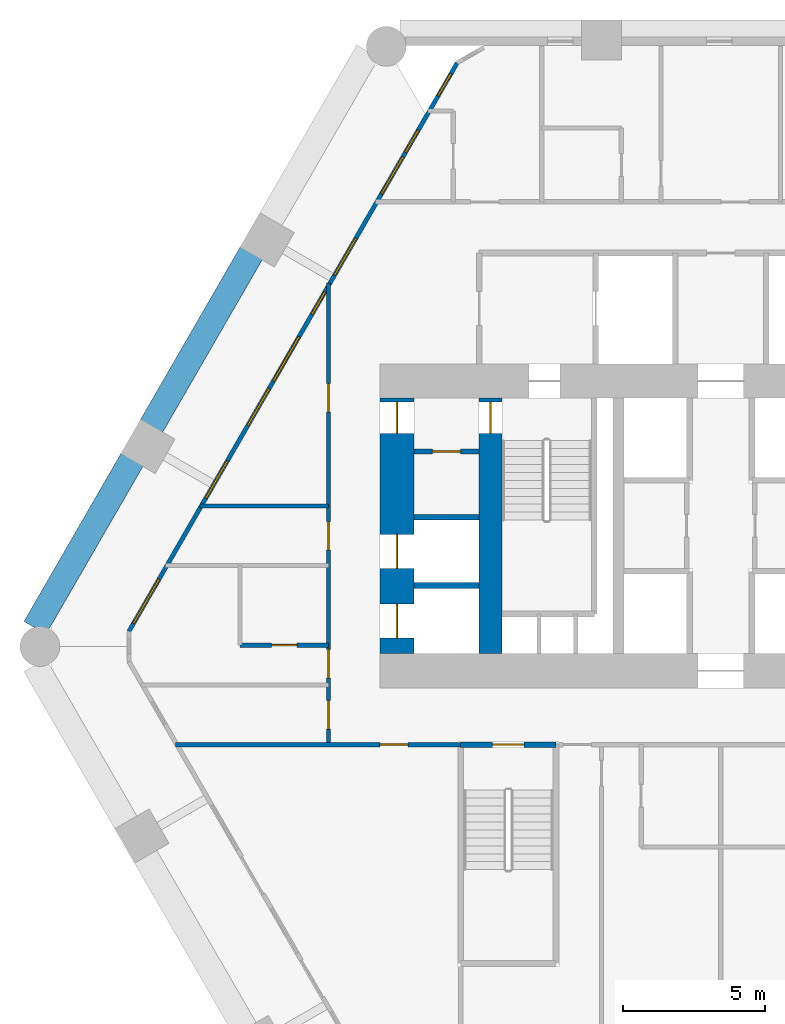
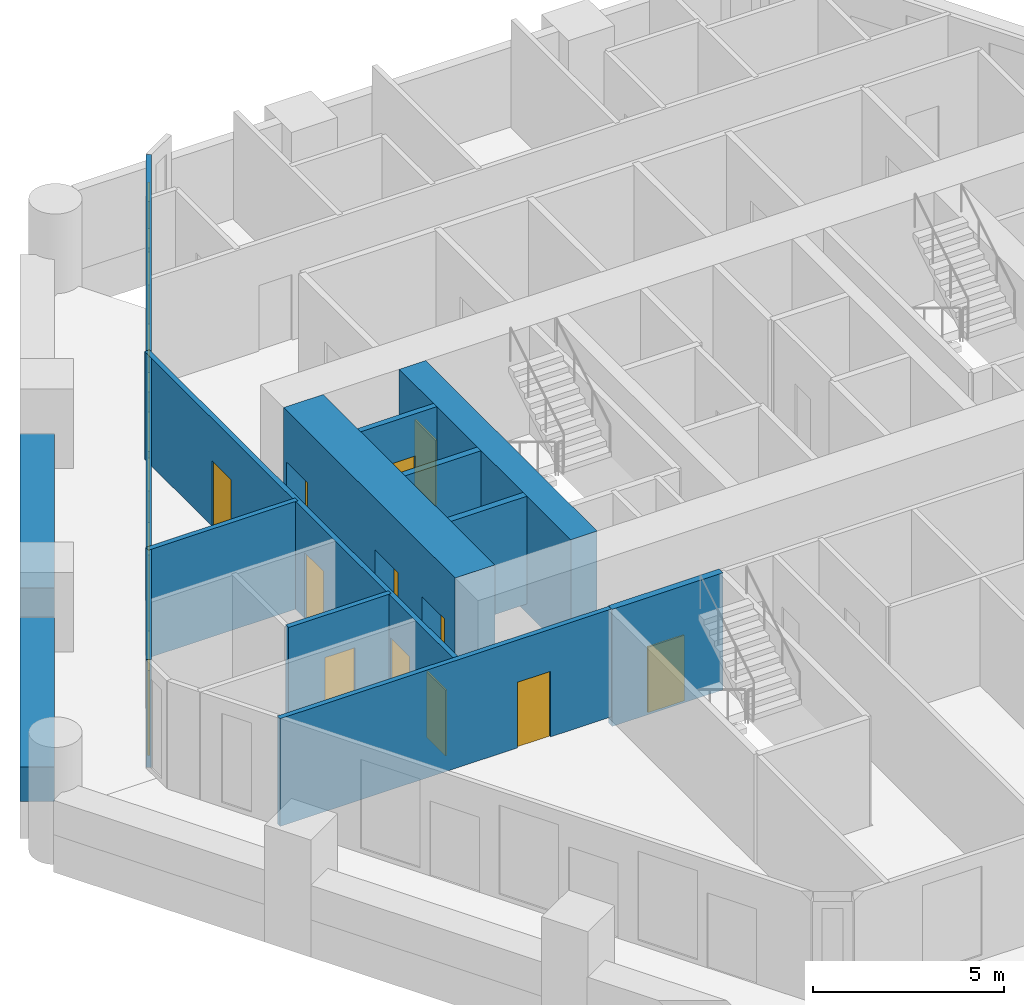
# One storey, part 3 of 8: 13 walls, 12 doors, 9 windows, 21 openings.
"""IFC4 building model written with IfcOpenShell, lengths in metres."""

from ifc_helpers import new_model, si_unit, direction, frame, frame_2d, origin, place, context, subcontext, project, spatial, rectangle, extrude, material, layer, layer_set, type_object, element, fill, save


model = new_model("IFC4")

# Units and contexts
model_context = context("Model", 3, precision=1e-05, world=origin(), true_north=direction((0.0, 1.0)))
body_context = subcontext(model_context, "Body", "Model", "MODEL_VIEW")
ifc_project = project(units=[si_unit("LENGTHUNIT", "METRE"), si_unit("AREAUNIT", "SQUARE_METRE"), si_unit("VOLUMEUNIT", "CUBIC_METRE"), si_unit("PLANEANGLEUNIT", "RADIAN"), si_unit("MASSUNIT", "GRAM", prefix="KILO")], contexts=[model_context])

# Site, building, storey
site_placement = place(None, origin())
site = spatial("IfcSite", under=ifc_project, at=site_placement, CompositionType="ELEMENT")
building_placement = place(site_placement, origin())
building = spatial("IfcBuilding", under=site, at=building_placement, Name="Ostrander Bayou Hotel Tower", CompositionType="ELEMENT")
storey_placement = place(building_placement, frame((0.0, 0.0, 43.0)))
storey = spatial("IfcBuildingStorey", under=building, at=storey_placement, Name="L10", CompositionType="ELEMENT", Elevation=43.0)

# Wall, openings, doors
ifc_material_1 = material(Name="Concrete f'c 70 MPa", Category="concrete")
ifc_layer_1 = layer(ifc_material_1, 1.199951171875)
ifc_layer_set_1 = layer_set([ifc_layer_1], Name="CW1 core wall 1200 mm f'c 70 MPa")
wall_type_1 = type_object("IfcWallType", Name="CW1 core wall 1200 mm f'c 70 MPa", PredefinedType="SHEAR", material=ifc_layer_set_1)
wall_1_placement = place(storey_placement, frame((-11.39990234375, -0.5, -0.300048828125), z_axis=(0.0, 0.0, 1.0), x_axis=(0.0, 1.0, 0.0)))
wall_1 = element("IfcWall", 1, at=wall_1_placement, inside=storey, type_object=wall_type_1, Name="CW1 L10 RW", PredefinedType="SHEAR", context=body_context, shape_type="SweptSolid", body=[
    extrude(rectangle(XDim=9.0, YDim=1.199951171875, at=frame_2d((4.5, 0.0))), origin(), (0.0, 0.0, 1.0), 3.75),
])
opening_1_placement = place(wall_1_placement, frame((7.75, 0.0, 0.0)))
opening_1 = element("IfcOpeningElement", 2, at=opening_1_placement, cuts=wall_1, Name="Opening T09-017", PredefinedType="OPENING", context=body_context, shape_type="SweptSolid", body=[
    extrude(rectangle(XDim=1.10009765625, YDim=2.10009765625, at=frame_2d((0.550048828125, 1.050048828125))), frame((0.0, 0.60009765625, 0.0), z_axis=(0.0, -1.0, 0.0), x_axis=(1.0, 0.0, 0.0)), (0.0, 0.0, 1.0), 1.199951171875),
])
opening_2_placement = place(wall_1_placement, frame((0.550048828125, 0.0, 0.0)))
opening_2 = element("IfcOpeningElement", 3, at=opening_2_placement, cuts=wall_1, Name="Opening T09-018", PredefinedType="OPENING", context=body_context, shape_type="SweptSolid", body=[
    extrude(rectangle(XDim=1.199951171875, YDim=2.10009765625, at=frame_2d((0.60009765625, 1.050048828125))), frame((0.0, 0.60009765625, 0.0), z_axis=(0.0, -1.0, 0.0), x_axis=(1.0, 0.0, 0.0)), (0.0, 0.0, 1.0), 1.199951171875),
])
opening_3_placement = place(wall_1_placement, frame((3.0, 0.0, 0.0)))
opening_3 = element("IfcOpeningElement", 4, at=opening_3_placement, cuts=wall_1, Name="Opening T09-019", PredefinedType="OPENING", context=body_context, shape_type="SweptSolid", body=[
    extrude(rectangle(XDim=1.199951171875, YDim=2.10009765625, at=frame_2d((0.60009765625, 1.050048828125))), frame((0.0, 0.60009765625, 0.0), z_axis=(0.0, -1.0, 0.0), x_axis=(1.0, 0.0, 0.0)), (0.0, 0.0, 1.0), 1.199951171875),
])
ifc_material_2 = material(Name="Timber door leaf", Category="wood")
door_type_1 = type_object("IfcDoorType", Name="D5 stair door 1100 x 2100 mm, 90 minute", OperationType="SINGLE_SWING_LEFT", PredefinedType="DOOR", material=ifc_material_2)
door_1_placement = place(opening_1_placement, origin())
door_1 = element("IfcDoor", 5, at=door_1_placement, inside=storey, type_object=door_type_1, Name="dr:L10:017", OperationType="SINGLE_SWING_LEFT", OverallHeight=2.10009765625, OverallWidth=1.10009765625, PredefinedType="DOOR", context=body_context, shape_type="SweptSolid", body=[
    extrude(rectangle(XDim=1.10009765625, YDim=2.10009765625, at=frame_2d((0.550048828125, 1.050048828125))), frame((0.0, 0.02490234375, 0.0), z_axis=(0.0, -1.0, 0.0), x_axis=(1.0, 0.0, 0.0)), (0.0, 0.0, 1.0), 0.050048828125),
])
fill(opening_1, door_1)
ifc_material_3 = material(Name="Stainless steel sliding door", Category="steel")
door_type_2 = type_object("IfcDoorType", Name="LD1 lift landing door 1200 x 2100 mm", OperationType="SINGLE_SWING_LEFT", PredefinedType="DOOR", material=ifc_material_3)
door_2_placement = place(opening_2_placement, origin())
door_2 = element("IfcDoor", 6, at=door_2_placement, inside=storey, type_object=door_type_2, Name="dr:L10:018", OperationType="SLIDING_TO_LEFT", OverallHeight=2.10009765625, OverallWidth=1.199951171875, PredefinedType="DOOR", context=body_context, shape_type="SweptSolid", body=[
    extrude(rectangle(XDim=1.199951171875, YDim=2.10009765625, at=frame_2d((0.60009765625, 1.050048828125))), frame((0.0, 0.02490234375, 0.0), z_axis=(0.0, -1.0, 0.0), x_axis=(1.0, 0.0, 0.0)), (0.0, 0.0, 1.0), 0.050048828125),
])
fill(opening_2, door_2)
door_3_placement = place(opening_3_placement, origin())
door_3 = element("IfcDoor", 7, at=door_3_placement, inside=storey, type_object=door_type_2, Name="dr:L10:019", OperationType="SLIDING_TO_LEFT", OverallHeight=2.10009765625, OverallWidth=1.199951171875, PredefinedType="DOOR", context=body_context, shape_type="SweptSolid", body=[
    extrude(rectangle(XDim=1.199951171875, YDim=2.10009765625, at=frame_2d((0.60009765625, 1.050048828125))), frame((0.0, 0.02490234375, 0.0), z_axis=(0.0, -1.0, 0.0), x_axis=(1.0, 0.0, 0.0)), (0.0, 0.0, 1.0), 0.050048828125),
])
fill(opening_3, door_3)

# Wall, opening, door
ifc_material_4 = material(Name="Concrete f'c 70 MPa", Category="concrete")
ifc_layer_2 = layer(ifc_material_4, 0.800048828125)
ifc_layer_set_2 = layer_set([ifc_layer_2], Name="CW2 core spine wall 800 mm f'c 70 MPa")
wall_type_2 = type_object("IfcWallType", Name="CW2 core spine wall 800 mm f'c 70 MPa", PredefinedType="SHEAR", material=ifc_layer_set_2)
wall_2_placement = place(storey_placement, frame((-8.10009765625, -0.5, -0.300048828125), z_axis=(0.0, 0.0, 1.0), x_axis=(0.0, 1.0, 0.0)))
wall_2 = element("IfcWall", 8, at=wall_2_placement, inside=storey, type_object=wall_type_2, Name="CW2 L10 W", PredefinedType="SHEAR", context=body_context, shape_type="SweptSolid", body=[
    extrude(rectangle(XDim=9.0, YDim=0.800048828125, at=frame_2d((4.5, 0.0))), origin(), (0.0, 0.0, 1.0), 3.75),
])
opening_4_placement = place(wall_2_placement, frame((7.75, 0.0, 0.0)))
opening_4 = element("IfcOpeningElement", 9, at=opening_4_placement, cuts=wall_2, Name="Opening T09-004", PredefinedType="OPENING", context=body_context, shape_type="SweptSolid", body=[
    extrude(rectangle(XDim=1.10009765625, YDim=2.10009765625, at=frame_2d((0.550048828125, 1.050048828125))), frame((0.0, 0.39990234375, 0.0), z_axis=(0.0, -1.0, 0.0), x_axis=(1.0, 0.0, 0.0)), (0.0, 0.0, 1.0), 0.800048828125),
])
door_4_placement = place(opening_4_placement, origin())
door_4 = element("IfcDoor", 10, at=door_4_placement, inside=storey, type_object=door_type_1, Name="dr:L10:004", OperationType="SINGLE_SWING_RIGHT", OverallHeight=2.10009765625, OverallWidth=1.10009765625, PredefinedType="DOOR", context=body_context, shape_type="SweptSolid", body=[
    extrude(rectangle(XDim=1.10009765625, YDim=2.10009765625, at=frame_2d((0.550048828125, 1.050048828125))), frame((0.0, 0.02490234375, 0.0), z_axis=(0.0, -1.0, 0.0), x_axis=(1.0, 0.0, 0.0)), (0.0, 0.0, 1.0), 0.050048828125),
])
fill(opening_4, door_4)

# Wall, openings, windows
ifc_material_5 = material(Name="Aluminium framed insulated wall", Category="aluminium")
ifc_layer_3 = layer(ifc_material_5, 0.14990234375)
ifc_layer_set_3 = layer_set([ifc_layer_3], Name="GW1 glass-line wall 150 mm")
wall_type_3 = type_object("IfcWallType", Name="GW1 glass-line wall 150 mm", PredefinedType="SOLIDWALL", material=ifc_layer_set_3)
wall_3_placement = place(storey_placement, frame((-9.27587890625, 20.29248046875, 0.0), z_axis=(0.0, 0.0, 1.0), x_axis=(-0.500006057782, -0.866021906294, 0.0)))
wall_3 = element("IfcWall", 11, at=wall_3_placement, inside=storey, type_object=wall_type_3, Name="GW1 L10 NW 1", PredefinedType="SOLIDWALL", context=body_context, shape_type="SweptSolid", body=[
    extrude(rectangle(XDim=23.100341796875, YDim=0.14990234375, at=frame_2d((11.55029296875, 0.0))), origin(), (0.0, 0.0, 1.0), 3.449951171875),
])
opening_5_placement = place(wall_3_placement, frame((2.73583984375, 0.0, 0.14990234375)))
opening_5 = element("IfcOpeningElement", 12, at=opening_5_placement, cuts=wall_3, Name="Opening W15", PredefinedType="OPENING", context=body_context, shape_type="SweptSolid", body=[
    extrude(rectangle(XDim=0.89990234375, YDim=2.85009765625, at=frame_2d((0.449951171875, 1.425048828125))), frame((0.0, 0.074951171875, 0.0), z_axis=(0.0, -1.0, 0.0), x_axis=(1.0, 0.0, 0.0)), (0.0, 0.0, 1.0), 0.14990234375),
])
opening_6_placement = place(wall_3_placement, frame((3.825439453125, 0.0, 0.14990234375)))
opening_6 = element("IfcOpeningElement", 13, at=opening_6_placement, cuts=wall_3, Name="Opening W11", PredefinedType="OPENING", context=body_context, shape_type="SweptSolid", body=[
    extrude(rectangle(XDim=1.5, YDim=2.85009765625, at=frame_2d((0.75, 1.425048828125))), frame((0.0, 0.074951171875, 0.0), z_axis=(0.0, -1.0, 0.0), x_axis=(1.0, 0.0, 0.0)), (0.0, 0.0, 1.0), 0.14990234375),
])
opening_7_placement = place(wall_3_placement, frame((9.31982421875, 0.0, 0.14990234375)))
opening_7 = element("IfcOpeningElement", 14, at=opening_7_placement, cuts=wall_3, Name="Opening W15", PredefinedType="OPENING", context=body_context, shape_type="SweptSolid", body=[
    extrude(rectangle(XDim=0.89990234375, YDim=2.85009765625, at=frame_2d((0.449951171875, 1.425048828125))), frame((0.0, 0.074951171875, 0.0), z_axis=(0.0, -1.0, 0.0), x_axis=(1.0, 0.0, 0.0)), (0.0, 0.0, 1.0), 0.14990234375),
])
opening_8_placement = place(wall_3_placement, frame((7.119873046875, 0.0, 0.14990234375)))
opening_8 = element("IfcOpeningElement", 15, at=opening_8_placement, cuts=wall_3, Name="Opening W11", PredefinedType="OPENING", context=body_context, shape_type="SweptSolid", body=[
    extrude(rectangle(XDim=1.5, YDim=2.85009765625, at=frame_2d((0.75, 1.425048828125))), frame((0.0, 0.074951171875, 0.0), z_axis=(0.0, -1.0, 0.0), x_axis=(1.0, 0.0, 0.0)), (0.0, 0.0, 1.0), 0.14990234375),
])
opening_9_placement = place(wall_3_placement, frame((11.1357421875, 0.0, 0.14990234375)))
opening_9 = element("IfcOpeningElement", 16, at=opening_9_placement, cuts=wall_3, Name="Opening W1", PredefinedType="OPENING", context=body_context, shape_type="SweptSolid", body=[
    extrude(rectangle(XDim=1.800048828125, YDim=2.85009765625, at=frame_2d((0.89990234375, 1.425048828125))), frame((0.0, 0.074951171875, 0.0), z_axis=(0.0, -1.0, 0.0), x_axis=(1.0, 0.0, 0.0)), (0.0, 0.0, 1.0), 0.14990234375),
])
opening_10_placement = place(wall_3_placement, frame((13.23583984375, 0.0, 0.14990234375)))
opening_10 = element("IfcOpeningElement", 17, at=opening_10_placement, cuts=wall_3, Name="Opening W11", PredefinedType="OPENING", context=body_context, shape_type="SweptSolid", body=[
    extrude(rectangle(XDim=1.5, YDim=2.85009765625, at=frame_2d((0.75, 1.425048828125))), frame((0.0, 0.074951171875, 0.0), z_axis=(0.0, -1.0, 0.0), x_axis=(1.0, 0.0, 0.0)), (0.0, 0.0, 1.0), 0.14990234375),
])
opening_11_placement = place(wall_3_placement, frame((16.180419921875, 0.0, 0.14990234375)))
opening_11 = element("IfcOpeningElement", 18, at=opening_11_placement, cuts=wall_3, Name="Opening W11", PredefinedType="OPENING", context=body_context, shape_type="SweptSolid", body=[
    extrude(rectangle(XDim=1.5, YDim=2.85009765625, at=frame_2d((0.75, 1.425048828125))), frame((0.0, 0.074951171875, 0.0), z_axis=(0.0, -1.0, 0.0), x_axis=(1.0, 0.0, 0.0)), (0.0, 0.0, 1.0), 0.14990234375),
])
opening_12_placement = place(wall_3_placement, frame((0.440185546875, 0.0, 0.14990234375)))
opening_12 = element("IfcOpeningElement", 19, at=opening_12_placement, cuts=wall_3, Name="Opening W15", PredefinedType="OPENING", context=body_context, shape_type="SweptSolid", body=[
    extrude(rectangle(XDim=0.89990234375, YDim=2.72998046875, at=frame_2d((0.449951171875, 1.364990234375))), frame((0.0, 0.074951171875, 0.0), z_axis=(0.0, -1.0, 0.0), x_axis=(1.0, 0.0, 0.0)), (0.0, 0.0, 1.0), 0.14990234375),
])
opening_13_placement = place(wall_3_placement, frame((20.97802734375, 0.0, 0.14990234375)))
opening_13 = element("IfcOpeningElement", 20, at=opening_13_placement, cuts=wall_3, Name="Opening W1", PredefinedType="OPENING", context=body_context, shape_type="SweptSolid", body=[
    extrude(rectangle(XDim=1.800048828125, YDim=2.72998046875, at=frame_2d((0.89990234375, 1.364990234375))), frame((0.0, 0.074951171875, 0.0), z_axis=(0.0, -1.0, 0.0), x_axis=(1.0, 0.0, 0.0)), (0.0, 0.0, 1.0), 0.14990234375),
])
ifc_material_6 = material(Name="Aluminium and clear glass", Category="aluminium")
window_type_1 = type_object("IfcWindowType", Name="W1 fixed window 1800 mm, zone 1", PartitioningType="SINGLE_PANEL", PredefinedType="WINDOW", material=ifc_material_6)
window_1_placement = place(opening_9_placement, origin())
window_1 = element("IfcWindow", 21, at=window_1_placement, inside=storey, type_object=window_type_1, Name="W1 L10 NW 3", OverallHeight=2.85009765625, OverallWidth=1.800048828125, PartitioningType="SINGLE_PANEL", PredefinedType="WINDOW", context=body_context, shape_type="SweptSolid", body=[
    extrude(rectangle(XDim=1.800048828125, YDim=2.85009765625, at=frame_2d((0.89990234375, 1.425048828125))), frame((0.0, 0.030029296875, 0.0), z_axis=(0.0, -1.0, 0.0), x_axis=(1.0, 0.0, 0.0)), (0.0, 0.0, 1.0), 0.06005859375),
])
fill(opening_9, window_1)
window_2_placement = place(opening_13_placement, origin())
window_2 = element("IfcWindow", 22, at=window_2_placement, inside=storey, type_object=window_type_1, Name="W1 L10 NW E22", OverallHeight=2.72998046875, OverallWidth=1.800048828125, PartitioningType="SINGLE_PANEL", PredefinedType="WINDOW", context=body_context, shape_type="SweptSolid", body=[
    extrude(rectangle(XDim=1.800048828125, YDim=2.72998046875, at=frame_2d((0.89990234375, 1.364990234375))), frame((0.0, 0.030029296875, 0.0), z_axis=(0.0, -1.0, 0.0), x_axis=(1.0, 0.0, 0.0)), (0.0, 0.0, 1.0), 0.06005859375),
])
fill(opening_13, window_2)
ifc_material_7 = material(Name="Aluminium and clear glass", Category="aluminium")
window_type_2 = type_object("IfcWindowType", Name="W11 fixed window 1500 mm, bath bay, zone 1", PartitioningType="SINGLE_PANEL", PredefinedType="WINDOW", material=ifc_material_7)
window_3_placement = place(opening_6_placement, origin())
window_3 = element("IfcWindow", 23, at=window_3_placement, inside=storey, type_object=window_type_2, Name="W11 L10 NW 1", OverallHeight=2.85009765625, OverallWidth=1.5, PartitioningType="SINGLE_PANEL", PredefinedType="WINDOW", context=body_context, shape_type="SweptSolid", body=[
    extrude(rectangle(XDim=1.5, YDim=2.85009765625, at=frame_2d((0.75, 1.425048828125))), frame((0.0, 0.030029296875, 0.0), z_axis=(0.0, -1.0, 0.0), x_axis=(1.0, 0.0, 0.0)), (0.0, 0.0, 1.0), 0.06005859375),
])
fill(opening_6, window_3)
window_4_placement = place(opening_8_placement, origin())
window_4 = element("IfcWindow", 24, at=window_4_placement, inside=storey, type_object=window_type_2, Name="W11 L10 NW 2", OverallHeight=2.85009765625, OverallWidth=1.5, PartitioningType="SINGLE_PANEL", PredefinedType="WINDOW", context=body_context, shape_type="SweptSolid", body=[
    extrude(rectangle(XDim=1.5, YDim=2.85009765625, at=frame_2d((0.75, 1.425048828125))), frame((0.0, 0.030029296875, 0.0), z_axis=(0.0, -1.0, 0.0), x_axis=(1.0, 0.0, 0.0)), (0.0, 0.0, 1.0), 0.06005859375),
])
fill(opening_8, window_4)
window_5_placement = place(opening_10_placement, origin())
window_5 = element("IfcWindow", 25, at=window_5_placement, inside=storey, type_object=window_type_2, Name="W11 L10 NW 3", OverallHeight=2.85009765625, OverallWidth=1.5, PartitioningType="SINGLE_PANEL", PredefinedType="WINDOW", context=body_context, shape_type="SweptSolid", body=[
    extrude(rectangle(XDim=1.5, YDim=2.85009765625, at=frame_2d((0.75, 1.425048828125))), frame((0.0, 0.030029296875, 0.0), z_axis=(0.0, -1.0, 0.0), x_axis=(1.0, 0.0, 0.0)), (0.0, 0.0, 1.0), 0.06005859375),
])
fill(opening_10, window_5)
window_6_placement = place(opening_11_placement, origin())
window_6 = element("IfcWindow", 26, at=window_6_placement, inside=storey, type_object=window_type_2, Name="W11 L10 NW 4", OverallHeight=2.85009765625, OverallWidth=1.5, PartitioningType="SINGLE_PANEL", PredefinedType="WINDOW", context=body_context, shape_type="SweptSolid", body=[
    extrude(rectangle(XDim=1.5, YDim=2.85009765625, at=frame_2d((0.75, 1.425048828125))), frame((0.0, 0.030029296875, 0.0), z_axis=(0.0, -1.0, 0.0), x_axis=(1.0, 0.0, 0.0)), (0.0, 0.0, 1.0), 0.06005859375),
])
fill(opening_11, window_6)
ifc_material_8 = material(Name="Aluminium and clear glass", Category="aluminium")
window_type_3 = type_object("IfcWindowType", Name="W15 window 900 mm, zone 1", PartitioningType="SINGLE_PANEL", PredefinedType="WINDOW", material=ifc_material_8)
window_7_placement = place(opening_5_placement, origin())
window_7 = element("IfcWindow", 27, at=window_7_placement, inside=storey, type_object=window_type_3, Name="W15 L10 NW 1", OverallHeight=2.85009765625, OverallWidth=0.89990234375, PartitioningType="SINGLE_PANEL", PredefinedType="WINDOW", context=body_context, shape_type="SweptSolid", body=[
    extrude(rectangle(XDim=0.89990234375, YDim=2.85009765625, at=frame_2d((0.449951171875, 1.425048828125))), frame((0.0, 0.030029296875, 0.0), z_axis=(0.0, -1.0, 0.0), x_axis=(1.0, 0.0, 0.0)), (0.0, 0.0, 1.0), 0.06005859375),
])
fill(opening_5, window_7)
window_8_placement = place(opening_7_placement, origin())
window_8 = element("IfcWindow", 28, at=window_8_placement, inside=storey, type_object=window_type_3, Name="W15 L10 NW 2", OverallHeight=2.85009765625, OverallWidth=0.89990234375, PartitioningType="SINGLE_PANEL", PredefinedType="WINDOW", context=body_context, shape_type="SweptSolid", body=[
    extrude(rectangle(XDim=0.89990234375, YDim=2.85009765625, at=frame_2d((0.449951171875, 1.425048828125))), frame((0.0, 0.030029296875, 0.0), z_axis=(0.0, -1.0, 0.0), x_axis=(1.0, 0.0, 0.0)), (0.0, 0.0, 1.0), 0.06005859375),
])
fill(opening_7, window_8)
window_9_placement = place(opening_12_placement, origin())
window_9 = element("IfcWindow", 29, at=window_9_placement, inside=storey, type_object=window_type_3, Name="W15 L10 NW E11", OverallHeight=2.72998046875, OverallWidth=0.89990234375, PartitioningType="SINGLE_PANEL", PredefinedType="WINDOW", context=body_context, shape_type="SweptSolid", body=[
    extrude(rectangle(XDim=0.89990234375, YDim=2.72998046875, at=frame_2d((0.449951171875, 1.364990234375))), frame((0.0, 0.030029296875, 0.0), z_axis=(0.0, -1.0, 0.0), x_axis=(1.0, 0.0, 0.0)), (0.0, 0.0, 1.0), 0.06005859375),
])
fill(opening_12, window_9)

# Walls
ifc_material_9 = material(Name="Concrete f'c 40 MPa", Category="concrete")
ifc_layer_4 = layer(ifc_material_9, 0.89990234375)
ifc_layer_set_4 = layer_set([ifc_layer_4], Name="PA1 stone-faced parapet 900 mm")
wall_type_4 = type_object("IfcWallType", Name="PA1 stone-faced parapet 900 mm", PredefinedType="PARAPET", material=ifc_layer_set_4)
wall_4_placement = place(storey_placement, frame((-16.514404296875, 13.60546875, 0.0), z_axis=(0.0, 0.0, 1.0), x_axis=(-0.499997206141, -0.866027016814, 0.0)))
element("IfcWall", 30, at=wall_4_placement, inside=storey, type_object=wall_type_4, Name="PA1 L10 NW-2", PredefinedType="PARAPET", context=body_context, shape_type="SweptSolid", body=[
    extrude(rectangle(XDim=7.05078125, YDim=0.89990234375, at=frame_2d((3.525390625, 0.0))), origin(), (0.0, 0.0, 1.0), 1.10009765625),
])
wall_5_placement = place(storey_placement, frame((-20.709716796875, 6.338623046875, 0.0), z_axis=(0.0, 0.0, 1.0), x_axis=(-0.499994135611, -0.866028789565, 0.0)))
element("IfcWall", 31, at=wall_5_placement, inside=storey, type_object=wall_type_4, Name="PA1 L10 NW-3", PredefinedType="PARAPET", context=body_context, shape_type="SweptSolid", body=[
    extrude(rectangle(XDim=6.84521484375, YDim=0.89990234375, at=frame_2d((3.422607421875, 0.0))), origin(), (0.0, 0.0, 1.0), 1.10009765625),
])

# Wall, opening, door
ifc_material_10 = material(Name="Gypsum board partition", Category="finish")
ifc_layer_5 = layer(ifc_material_10, 0.175048828125)
ifc_layer_set_5 = layer_set([ifc_layer_5], Name="PT4 corridor wall 175 mm, 1 hour")
wall_type_5 = type_object("IfcWallType", Name="PT4 corridor wall 175 mm, 1 hour", PredefinedType="PARTITIONING", material=ifc_layer_set_5)
wall_6_placement = place(storey_placement, frame((-10.800048828125, 6.614013671875, 0.0), z_axis=(0.0, 0.0, 1.0), x_axis=(1.0, 0.0, 0.0)))
wall_6 = element("IfcWall", 32, at=wall_6_placement, inside=storey, type_object=wall_type_5, Name="cs:L10:038", PredefinedType="PARTITIONING", context=body_context, shape_type="SweptSolid", body=[
    extrude(rectangle(XDim=2.300048828125, YDim=0.175048828125, at=frame_2d((1.14990234375, 0.0))), origin(), (0.0, 0.0, 1.0), 3.449951171875),
])
opening_14_placement = place(wall_6_placement, frame((0.64990234375, 0.0, 0.0)))
opening_14 = element("IfcOpeningElement", 33, at=opening_14_placement, cuts=wall_6, Name="Opening T09-016", PredefinedType="OPENING", context=body_context, shape_type="SweptSolid", body=[
    extrude(rectangle(XDim=1.0, YDim=2.10009765625, at=frame_2d((0.5, 1.050048828125))), frame((0.0, 0.08740234375, 0.0), z_axis=(0.0, -1.0, 0.0), x_axis=(1.0, 0.0, 0.0)), (0.0, 0.0, 1.0), 0.175048828125),
])
ifc_material_11 = material(Name="Timber door leaf", Category="wood")
door_type_3 = type_object("IfcDoorType", Name="D4 corridor door 1000 x 2100 mm, 1 hour", OperationType="SINGLE_SWING_LEFT", PredefinedType="DOOR", material=ifc_material_11)
door_5_placement = place(opening_14_placement, origin())
door_5 = element("IfcDoor", 34, at=door_5_placement, inside=storey, type_object=door_type_3, Name="dr:L10:016", OperationType="SINGLE_SWING_LEFT", OverallHeight=2.10009765625, OverallWidth=1.0, PredefinedType="DOOR", context=body_context, shape_type="SweptSolid", body=[
    extrude(rectangle(XDim=1.0, YDim=2.10009765625, at=frame_2d((0.5, 1.050048828125))), frame((0.0, 0.02490234375, 0.0), z_axis=(0.0, -1.0, 0.0), x_axis=(1.0, 0.0, 0.0)), (0.0, 0.0, 1.0), 0.050048828125),
])
fill(opening_14, door_5)

# Walls
ifc_material_12 = material(Name="Masonry block", Category="masonry")
ifc_layer_6 = layer(ifc_material_12, 0.199951171875)
ifc_layer_set_6 = layer_set([ifc_layer_6], Name="PT6 lift shaft wall 200 mm masonry, 2 hour")
wall_type_6 = type_object("IfcWallType", Name="PT6 lift shaft wall 200 mm masonry, 2 hour", PredefinedType="PARTITIONING", material=ifc_layer_set_6)
for number, where, z_axis, x_axis, name in (
    (35, (-10.800048828125, 1.89990234375, 0.0), (0.0, 0.0, 1.0), (1.0, 0.0, 0.0), "cs:L10:036"),
    (36, (-10.800048828125, 4.300048828125, 0.0), (0.0, 0.0, 1.0), (1.0, 0.0, 0.0), "cs:L10:037"),
):
    element("IfcWall", number, at=place(storey_placement, frame(where, z_axis=z_axis, x_axis=x_axis)), inside=storey, type_object=wall_type_6, Name=name, PredefinedType="PARTITIONING", context=body_context, shape_type="SweptSolid", body=[
        extrude(rectangle(XDim=2.300048828125, YDim=0.199951171875, at=frame_2d((1.14990234375, 0.0))), origin(), (0.0, 0.0, 1.0), 3.449951171875),
    ])

# Wall, opening, door
ifc_material_13 = material(Name="Gypsum board partition", Category="finish")
ifc_layer_7 = layer(ifc_material_13, 0.14990234375)
ifc_layer_set_7 = layer_set([ifc_layer_7], Name="PT8 service band wall 150 mm, 1 hour")
wall_type_7 = type_object("IfcWallType", Name="PT8 service band wall 150 mm, 1 hour", PredefinedType="PARTITIONING", material=ifc_layer_set_7)
wall_7_placement = place(storey_placement, frame((-19.19091796875, -3.699951171875, 0.0), z_axis=(0.0, 0.0, 1.0), x_axis=(1.0, 0.0, 0.0)))
wall_7 = element("IfcWall", 37, at=wall_7_placement, inside=storey, type_object=wall_type_7, Name="gw:L10:002", PredefinedType="PARTITIONING", context=body_context, shape_type="SweptSolid", body=[
    extrude(rectangle(XDim=10.031005859375, YDim=0.14990234375, at=frame_2d((5.015625, 0.0))), origin(), (0.0, 0.0, 1.0), 3.449951171875),
])
opening_15_placement = place(wall_7_placement, frame((7.19091796875, 0.0, 0.0)))
opening_15 = element("IfcOpeningElement", 38, at=opening_15_placement, cuts=wall_7, Name="Opening T09-403", PredefinedType="OPENING", context=body_context, shape_type="SweptSolid", body=[
    extrude(rectangle(XDim=1.0, YDim=2.10009765625, at=frame_2d((0.5, 1.050048828125))), frame((0.0, 0.074951171875, 0.0), z_axis=(0.0, -1.0, 0.0), x_axis=(1.0, 0.0, 0.0)), (0.0, 0.0, 1.0), 0.14990234375),
])
ifc_material_14 = material(Name="Timber door leaf", Category="wood")
door_type_4 = type_object("IfcDoorType", Name="D15 room door 1000 x 2100 mm", OperationType="SINGLE_SWING_LEFT", PredefinedType="DOOR", material=ifc_material_14)
door_6_placement = place(opening_15_placement, origin())
door_6 = element("IfcDoor", 39, at=door_6_placement, inside=storey, type_object=door_type_4, Name="dr:L10:403", OperationType="SINGLE_SWING_RIGHT", OverallHeight=2.10009765625, OverallWidth=1.0, PredefinedType="DOOR", context=body_context, shape_type="SweptSolid", body=[
    extrude(rectangle(XDim=1.0, YDim=2.10009765625, at=frame_2d((0.5, 1.050048828125))), frame((0.0, 0.02490234375, 0.0), z_axis=(0.0, -1.0, 0.0), x_axis=(1.0, 0.0, 0.0)), (0.0, 0.0, 1.0), 0.050048828125),
])
fill(opening_15, door_6)

wall_8_placement = place(storey_placement, frame((-16.9150390625, -0.199951171875, 0.0), z_axis=(0.0, 0.0, 1.0), x_axis=(1.0, 0.0, 0.0)))
wall_8 = element("IfcWall", 40, at=wall_8_placement, inside=storey, type_object=wall_type_7, Name="gw:L10:006", PredefinedType="PARTITIONING", context=body_context, shape_type="SweptSolid", body=[
    extrude(rectangle(XDim=3.114990234375, YDim=0.14990234375, at=frame_2d((1.5576171875, 0.0))), origin(), (0.0, 0.0, 1.0), 3.449951171875),
])
opening_16_placement = place(wall_8_placement, frame((1.10693359375, 0.0, 0.0)))
opening_16 = element("IfcOpeningElement", 41, at=opening_16_placement, cuts=wall_8, Name="Opening T09-409", PredefinedType="OPENING", context=body_context, shape_type="SweptSolid", body=[
    extrude(rectangle(XDim=0.89990234375, YDim=2.10009765625, at=frame_2d((0.449951171875, 1.050048828125))), frame((0.0, 0.074951171875, 0.0), z_axis=(0.0, -1.0, 0.0), x_axis=(1.0, 0.0, 0.0)), (0.0, 0.0, 1.0), 0.14990234375),
])
ifc_material_15 = material(Name="Timber door leaf", Category="wood")
door_type_5 = type_object("IfcDoorType", Name="D14 bathroom door 900 x 2100 mm", OperationType="SINGLE_SWING_LEFT", PredefinedType="DOOR", material=ifc_material_15)
door_7_placement = place(opening_16_placement, origin())
door_7 = element("IfcDoor", 42, at=door_7_placement, inside=storey, type_object=door_type_5, Name="dr:L10:409", OperationType="SINGLE_SWING_RIGHT", OverallHeight=2.10009765625, OverallWidth=0.89990234375, PredefinedType="DOOR", context=body_context, shape_type="SweptSolid", body=[
    extrude(rectangle(XDim=0.89990234375, YDim=2.10009765625, at=frame_2d((0.449951171875, 1.050048828125))), frame((0.0, 0.02490234375, 0.0), z_axis=(0.0, -1.0, 0.0), x_axis=(1.0, 0.0, 0.0)), (0.0, 0.0, 1.0), 0.050048828125),
])
fill(opening_16, door_7)

# Wall
wall_9_placement = place(storey_placement, frame((-18.330078125, 4.699951171875, 0.0), z_axis=(0.0, 0.0, 1.0), x_axis=(1.0, 0.0, 0.0)))
element("IfcWall", 43, at=wall_9_placement, inside=storey, type_object=wall_type_7, Name="gw:L10:010", PredefinedType="PARTITIONING", context=body_context, shape_type="SweptSolid", body=[
    extrude(rectangle(XDim=4.530029296875, YDim=0.14990234375, at=frame_2d((2.26513671875, 0.0))), origin(), (0.0, 0.0, 1.0), 3.449951171875),
])

# Wall, openings, doors
wall_10_placement = place(storey_placement, frame((-13.800048828125, -3.699951171875, 0.0), z_axis=(0.0, 0.0, 1.0), x_axis=(0.0, 1.0, 0.0)))
wall_10 = element("IfcWall", 44, at=wall_10_placement, inside=storey, type_object=wall_type_7, Name="gw:L10:036", PredefinedType="PARTITIONING", context=body_context, shape_type="SweptSolid", body=[
    extrude(rectangle(XDim=16.2470703125, YDim=0.14990234375, at=frame_2d((8.12353515625, 0.0))), origin(), (0.0, 0.0, 1.0), 3.449951171875),
])
opening_17_placement = place(wall_10_placement, frame((0.550048828125, 0.0, 0.0)))
opening_17 = element("IfcOpeningElement", 45, at=opening_17_placement, cuts=wall_10, Name="Opening T09-407", PredefinedType="OPENING", context=body_context, shape_type="SweptSolid", body=[
    extrude(rectangle(XDim=1.0, YDim=2.10009765625, at=frame_2d((0.5, 1.050048828125))), frame((0.0, 0.074951171875, 0.0), z_axis=(0.0, -1.0, 0.0), x_axis=(1.0, 0.0, 0.0)), (0.0, 0.0, 1.0), 0.14990234375),
])
opening_18_placement = place(wall_10_placement, frame((2.35009765625, 0.0, 0.0)))
opening_18 = element("IfcOpeningElement", 46, at=opening_18_placement, cuts=wall_10, Name="Opening T09-408", PredefinedType="OPENING", context=body_context, shape_type="SweptSolid", body=[
    extrude(rectangle(XDim=1.0, YDim=2.10009765625, at=frame_2d((0.5, 1.050048828125))), frame((0.0, 0.074951171875, 0.0), z_axis=(0.0, -1.0, 0.0), x_axis=(1.0, 0.0, 0.0)), (0.0, 0.0, 1.0), 0.14990234375),
])
opening_19_placement = place(wall_10_placement, frame((6.85009765625, 0.0, 0.0)))
opening_19 = element("IfcOpeningElement", 47, at=opening_19_placement, cuts=wall_10, Name="Opening T09-410", PredefinedType="OPENING", context=body_context, shape_type="SweptSolid", body=[
    extrude(rectangle(XDim=1.0, YDim=2.10009765625, at=frame_2d((0.5, 1.050048828125))), frame((0.0, 0.074951171875, 0.0), z_axis=(0.0, -1.0, 0.0), x_axis=(1.0, 0.0, 0.0)), (0.0, 0.0, 1.0), 0.14990234375),
])
opening_20_placement = place(wall_10_placement, frame((11.702880859375, 0.0, 0.0)))
opening_20 = element("IfcOpeningElement", 48, at=opening_20_placement, cuts=wall_10, Name="Opening T09-411", PredefinedType="OPENING", context=body_context, shape_type="SweptSolid", body=[
    extrude(rectangle(XDim=1.0, YDim=2.10009765625, at=frame_2d((0.5, 1.050048828125))), frame((0.0, 0.074951171875, 0.0), z_axis=(0.0, -1.0, 0.0), x_axis=(1.0, 0.0, 0.0)), (0.0, 0.0, 1.0), 0.14990234375),
])
ifc_material_16 = material(Name="Timber door leaf", Category="wood")
door_type_6 = type_object("IfcDoorType", Name="D1 guest room door 1000 x 2100 mm, 30 minute", OperationType="SINGLE_SWING_LEFT", PredefinedType="DOOR", material=ifc_material_16)
door_8_placement = place(opening_18_placement, origin())
door_8 = element("IfcDoor", 49, at=door_8_placement, inside=storey, type_object=door_type_6, Name="dr:L10:408", OperationType="SINGLE_SWING_LEFT", OverallHeight=2.10009765625, OverallWidth=1.0, PredefinedType="DOOR", context=body_context, shape_type="SweptSolid", body=[
    extrude(rectangle(XDim=1.0, YDim=2.10009765625, at=frame_2d((0.5, 1.050048828125))), frame((0.0, 0.02490234375, 0.0), z_axis=(0.0, -1.0, 0.0), x_axis=(1.0, 0.0, 0.0)), (0.0, 0.0, 1.0), 0.050048828125),
])
fill(opening_18, door_8)
ifc_material_17 = material(Name="Timber door leaf", Category="wood")
door_type_7 = type_object("IfcDoorType", Name="D9 service door 1000 x 2100 mm, 30 minute", OperationType="SINGLE_SWING_LEFT", PredefinedType="DOOR", material=ifc_material_17)
door_9_placement = place(opening_17_placement, origin())
door_9 = element("IfcDoor", 50, at=door_9_placement, inside=storey, type_object=door_type_7, Name="dr:L10:407", OperationType="SINGLE_SWING_LEFT", OverallHeight=2.10009765625, OverallWidth=1.0, PredefinedType="DOOR", context=body_context, shape_type="SweptSolid", body=[
    extrude(rectangle(XDim=1.0, YDim=2.10009765625, at=frame_2d((0.5, 1.050048828125))), frame((0.0, 0.02490234375, 0.0), z_axis=(0.0, -1.0, 0.0), x_axis=(1.0, 0.0, 0.0)), (0.0, 0.0, 1.0), 0.050048828125),
])
fill(opening_17, door_9)
door_10_placement = place(opening_19_placement, origin())
door_10 = element("IfcDoor", 51, at=door_10_placement, inside=storey, type_object=door_type_7, Name="dr:L10:410", OperationType="SINGLE_SWING_LEFT", OverallHeight=2.10009765625, OverallWidth=1.0, PredefinedType="DOOR", context=body_context, shape_type="SweptSolid", body=[
    extrude(rectangle(XDim=1.0, YDim=2.10009765625, at=frame_2d((0.5, 1.050048828125))), frame((0.0, 0.02490234375, 0.0), z_axis=(0.0, -1.0, 0.0), x_axis=(1.0, 0.0, 0.0)), (0.0, 0.0, 1.0), 0.050048828125),
])
fill(opening_19, door_10)
door_11_placement = place(opening_20_placement, origin())
door_11 = element("IfcDoor", 52, at=door_11_placement, inside=storey, type_object=door_type_7, Name="dr:L10:411", OperationType="SINGLE_SWING_LEFT", OverallHeight=2.10009765625, OverallWidth=1.0, PredefinedType="DOOR", context=body_context, shape_type="SweptSolid", body=[
    extrude(rectangle(XDim=1.0, YDim=2.10009765625, at=frame_2d((0.5, 1.050048828125))), frame((0.0, 0.02490234375, 0.0), z_axis=(0.0, -1.0, 0.0), x_axis=(1.0, 0.0, 0.0)), (0.0, 0.0, 1.0), 0.050048828125),
])
fill(opening_20, door_11)

# Wall, opening, door
ifc_material_18 = material(Name="Concrete f'c 45 MPa", Category="concrete")
ifc_layer_8 = layer(ifc_material_18, 0.199951171875)
ifc_layer_set_8 = layer_set([ifc_layer_8], Name="SW5 stair enclosure wall 200 mm f'c 45 MPa")
wall_type_8 = type_object("IfcWallType", Name="SW5 stair enclosure wall 200 mm f'c 45 MPa", PredefinedType="SOLIDWALL", material=ifc_layer_set_8)
wall_11_placement = place(storey_placement, frame((-9.14990234375, -3.699951171875, -0.300048828125), z_axis=(0.0, 0.0, 1.0), x_axis=(1.0, 0.0, 0.0)))
wall_11 = element("IfcWall", 53, at=wall_11_placement, inside=storey, type_object=wall_type_8, Name="cs:L10:023", PredefinedType="SOLIDWALL", context=body_context, shape_type="SweptSolid", body=[
    extrude(rectangle(XDim=3.349853515625, YDim=0.199951171875, at=frame_2d((1.6748046875, 0.0))), origin(), (0.0, 0.0, 1.0), 3.75),
])
opening_21_placement = place(wall_11_placement, frame((1.125, 0.0, 0.0)))
opening_21 = element("IfcOpeningElement", 54, at=opening_21_placement, cuts=wall_11, Name="Opening T09-008", PredefinedType="OPENING", context=body_context, shape_type="SweptSolid", body=[
    extrude(rectangle(XDim=1.10009765625, YDim=2.10009765625, at=frame_2d((0.550048828125, 1.050048828125))), frame((0.0, 0.10009765625, 0.0), z_axis=(0.0, -1.0, 0.0), x_axis=(1.0, 0.0, 0.0)), (0.0, 0.0, 1.0), 0.199951171875),
])
door_12_placement = place(opening_21_placement, origin())
door_12 = element("IfcDoor", 55, at=door_12_placement, inside=storey, type_object=door_type_1, Name="dr:L10:008", OperationType="SINGLE_SWING_LEFT", OverallHeight=2.10009765625, OverallWidth=1.10009765625, PredefinedType="DOOR", context=body_context, shape_type="SweptSolid", body=[
    extrude(rectangle(XDim=1.10009765625, YDim=2.10009765625, at=frame_2d((0.550048828125, 1.050048828125))), frame((0.0, 0.02490234375, 0.0), z_axis=(0.0, -1.0, 0.0), x_axis=(1.0, 0.0, 0.0)), (0.0, 0.0, 1.0), 0.050048828125),
])
fill(opening_21, door_12)

save(model, "model.ifc")
